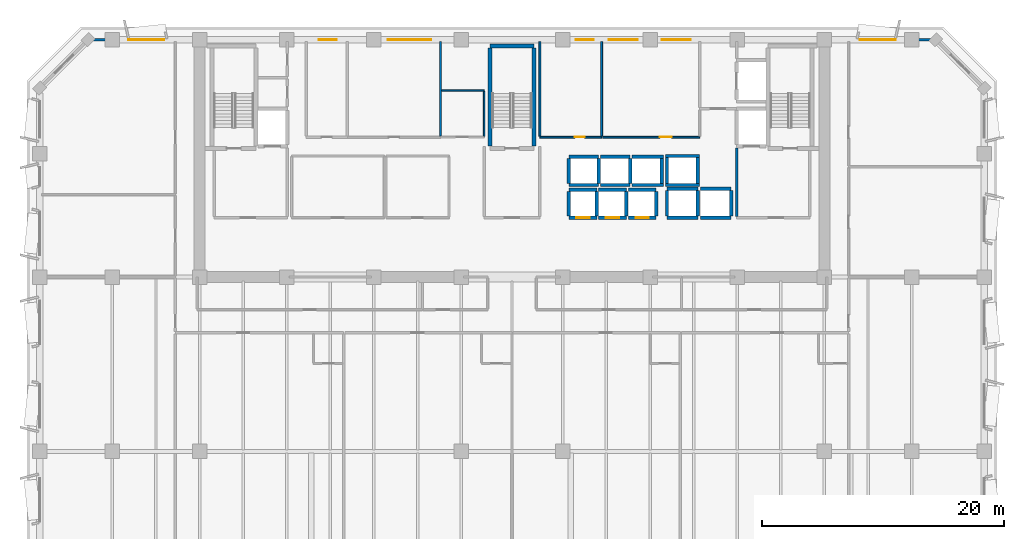
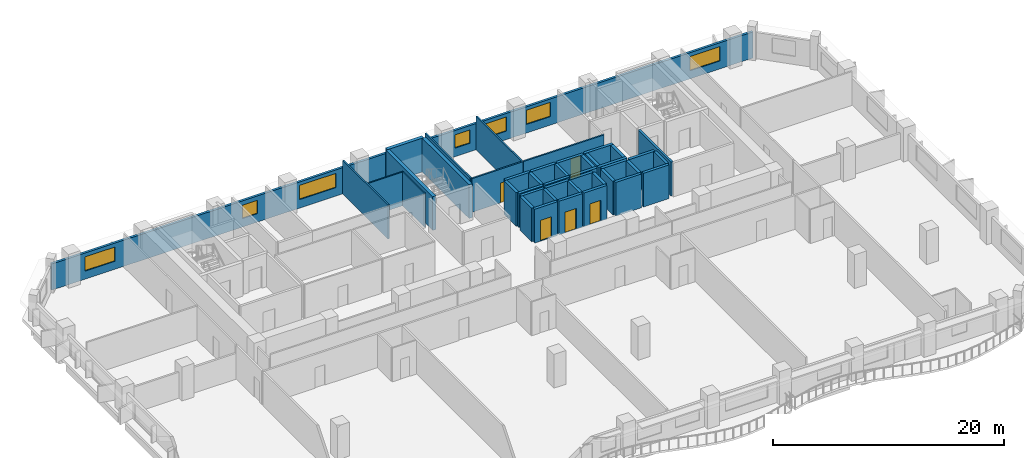
# One storey, part 7 of 14: 43 walls, 7 windows, 5 doors, 12 openings.
"""IFC4 building model written with IfcOpenShell, lengths in metres."""

from ifc_helpers import new_model, si_unit, direction, frame, frame_2d, origin, place, context, subcontext, project, spatial, rectangle, extrude, material, layer, layer_set, type_object, element, fill, save


model = new_model("IFC4")

# Units and contexts
model_context = context("Model", 3, precision=1e-05, world=origin(), true_north=direction((0.0, 1.0)))
body_context = subcontext(model_context, "Body", "Model", "MODEL_VIEW")
ifc_project = project(units=[si_unit("LENGTHUNIT", "METRE"), si_unit("AREAUNIT", "SQUARE_METRE"), si_unit("VOLUMEUNIT", "CUBIC_METRE"), si_unit("PLANEANGLEUNIT", "RADIAN"), si_unit("MASSUNIT", "GRAM", prefix="KILO")], contexts=[model_context])

# Site, building, storey
site_placement = place(None, origin())
site = spatial("IfcSite", under=ifc_project, at=site_placement, CompositionType="ELEMENT")
building_placement = place(site_placement, origin())
building = spatial("IfcBuilding", under=site, at=building_placement, Name="Kaelvorn Grand Hotel", CompositionType="ELEMENT")
storey_placement = place(building_placement, frame((0.0, 0.0, 220.550048828125)))
storey = spatial("IfcBuildingStorey", under=building, at=storey_placement, Name="L54", CompositionType="ELEMENT", Elevation=220.550048828125)

# Wall, openings, windows
ifc_material_1 = material(Name="Concrete C40/50", Category="concrete")
ifc_layer_1 = layer(ifc_material_1, 0.239990234375)
ifc_layer_set_1 = layer_set([ifc_layer_1], Name="Concrete C40/50")
wall_type_1 = type_object("IfcWallType", Name="WL-EXT-240-C40", PredefinedType="SOLIDWALL", material=ifc_layer_set_1)
wall_1_placement = place(storey_placement, frame((77.0, 49.0, 0.0), z_axis=(0.0, 0.0, 1.0), x_axis=(-1.0, 0.0, 0.0)))
wall_1 = element("IfcWall", 1, at=wall_1_placement, inside=storey, type_object=wall_type_1, Name="L54 Exterior Architectural Concrete Wall 05", PredefinedType="SOLIDWALL", context=body_context, shape_type="SweptSolid", body=[
    extrude(rectangle(XDim=70.0, YDim=0.239990234375, at=frame_2d((35.0, 0.0))), origin(), (0.0, 0.0, 1.0), 2.760009765625),
])
opening_1_placement = place(wall_1_placement, frame((63.699951171875, 0.0, 0.85009765625)))
opening_1 = element("IfcOpeningElement", 2, at=opening_1_placement, cuts=wall_1, Name="Opening W5", PredefinedType="OPENING", context=body_context, shape_type="SweptSolid", body=[
    extrude(rectangle(XDim=3.0, YDim=1.5, at=frame_2d((1.5, 0.75))), frame((0.0, 0.1298828125, 0.0), z_axis=(0.0, -1.0, 0.0), x_axis=(1.0, 0.0, 0.0)), (0.0, 0.0, 1.0), 0.260009765625),
])
opening_2_placement = place(wall_1_placement, frame((3.300048828125, 0.0, 0.85009765625)))
opening_2 = element("IfcOpeningElement", 3, at=opening_2_placement, cuts=wall_1, Name="Opening W5", PredefinedType="OPENING", context=body_context, shape_type="SweptSolid", body=[
    extrude(rectangle(XDim=3.0, YDim=1.5, at=frame_2d((1.5, 0.75))), frame((0.0, 0.1298828125, 0.0), z_axis=(0.0, -1.0, 0.0), x_axis=(1.0, 0.0, 0.0)), (0.0, 0.0, 1.0), 0.260009765625),
])
opening_3_placement = place(wall_1_placement, frame((49.465087890625, 0.0, 0.89990234375)))
opening_3 = element("IfcOpeningElement", 4, at=opening_3_placement, cuts=wall_1, Name="Opening W10", PredefinedType="OPENING", context=body_context, shape_type="SweptSolid", body=[
    extrude(rectangle(XDim=1.5, YDim=1.39990234375, at=frame_2d((0.75, 0.699951171875))), frame((0.0, 0.1298828125, 0.0), z_axis=(0.0, -1.0, 0.0), x_axis=(1.0, 0.0, 0.0)), (0.0, 0.0, 1.0), 0.260009765625),
])
opening_4_placement = place(wall_1_placement, frame((41.64990234375, 0.0, 0.89990234375)))
opening_4 = element("IfcOpeningElement", 5, at=opening_4_placement, cuts=wall_1, Name="Opening W3", PredefinedType="OPENING", context=body_context, shape_type="SweptSolid", body=[
    extrude(rectangle(XDim=3.60009765625, YDim=1.5, at=frame_2d((1.800048828125, 0.75))), frame((0.0, 0.1298828125, 0.0), z_axis=(0.0, -1.0, 0.0), x_axis=(1.0, 0.0, 0.0)), (0.0, 0.0, 1.0), 0.260009765625),
])
opening_5_placement = place(wall_1_placement, frame((28.25, 0.0, 0.89990234375)))
opening_5 = element("IfcOpeningElement", 6, at=opening_5_placement, cuts=wall_1, Name="Opening W10", PredefinedType="OPENING", context=body_context, shape_type="SweptSolid", body=[
    extrude(rectangle(XDim=1.5, YDim=1.39990234375, at=frame_2d((0.75, 0.699951171875))), frame((0.0, 0.1298828125, 0.0), z_axis=(0.0, -1.0, 0.0), x_axis=(1.0, 0.0, 0.0)), (0.0, 0.0, 1.0), 0.260009765625),
])
opening_6_placement = place(wall_1_placement, frame((24.60009765625, 0.0, 0.89990234375)))
opening_6 = element("IfcOpeningElement", 7, at=opening_6_placement, cuts=wall_1, Name="Opening W6", PredefinedType="OPENING", context=body_context, shape_type="SweptSolid", body=[
    extrude(rectangle(XDim=2.39990234375, YDim=1.5, at=frame_2d((1.199951171875, 0.75))), frame((0.0, 0.1298828125, 0.0), z_axis=(0.0, -1.0, 0.0), x_axis=(1.0, 0.0, 0.0)), (0.0, 0.0, 1.0), 0.260009765625),
])
opening_7_placement = place(wall_1_placement, frame((20.235107421875, 0.0, 0.89990234375)))
opening_7 = element("IfcOpeningElement", 8, at=opening_7_placement, cuts=wall_1, Name="Opening W6", PredefinedType="OPENING", context=body_context, shape_type="SweptSolid", body=[
    extrude(rectangle(XDim=2.39990234375, YDim=1.5, at=frame_2d((1.199951171875, 0.75))), frame((0.0, 0.1298828125, 0.0), z_axis=(0.0, -1.0, 0.0), x_axis=(1.0, 0.0, 0.0)), (0.0, 0.0, 1.0), 0.260009765625),
])
ifc_material_2 = material(Name="Laminated Low-E Glass", Category="glass")
window_type_1 = type_object("IfcWindowType", Name="WIN-COR-1500x1400", PartitioningType="SINGLE_PANEL", PredefinedType="WINDOW", material=ifc_material_2)
window_1_placement = place(opening_3_placement, origin())
window_1 = element("IfcWindow", 9, at=window_1_placement, inside=storey, type_object=window_type_1, Name="L54 North Core Clerestory Ribbon Window NC03", OverallHeight=1.39990234375, OverallWidth=1.5, PartitioningType="SINGLE_PANEL", PredefinedType="WINDOW", context=body_context, shape_type="SweptSolid", body=[
    extrude(rectangle(XDim=1.5, YDim=1.39990234375, at=frame_2d((0.75, 0.699951171875))), frame((0.0, 0.030029296875, 0.0), z_axis=(0.0, -1.0, 0.0), x_axis=(1.0, 0.0, 0.0)), (0.0, 0.0, 1.0), 0.06005859375),
])
fill(opening_3, window_1)
window_2_placement = place(opening_5_placement, origin())
window_2 = element("IfcWindow", 10, at=window_2_placement, inside=storey, type_object=window_type_1, Name="L54 North Core Clerestory Ribbon Window NC05", OverallHeight=1.39990234375, OverallWidth=1.5, PartitioningType="SINGLE_PANEL", PredefinedType="WINDOW", context=body_context, shape_type="SweptSolid", body=[
    extrude(rectangle(XDim=1.5, YDim=1.39990234375, at=frame_2d((0.75, 0.699951171875))), frame((0.0, 0.030029296875, 0.0), z_axis=(0.0, -1.0, 0.0), x_axis=(1.0, 0.0, 0.0)), (0.0, 0.0, 1.0), 0.06005859375),
])
fill(opening_5, window_2)
window_type_2 = type_object("IfcWindowType", Name="WIN-NTH-2400x1500", PartitioningType="SINGLE_PANEL", PredefinedType="WINDOW", material=ifc_material_2)
window_3_placement = place(opening_6_placement, origin())
window_3 = element("IfcWindow", 11, at=window_3_placement, inside=storey, type_object=window_type_2, Name="L54 North Core Clerestory Ribbon Window NC06", OverallHeight=1.5, OverallWidth=2.39990234375, PartitioningType="SINGLE_PANEL", PredefinedType="WINDOW", context=body_context, shape_type="SweptSolid", body=[
    extrude(rectangle(XDim=2.39990234375, YDim=1.5, at=frame_2d((1.199951171875, 0.75))), frame((0.0, 0.030029296875, 0.0), z_axis=(0.0, -1.0, 0.0), x_axis=(1.0, 0.0, 0.0)), (0.0, 0.0, 1.0), 0.06005859375),
])
fill(opening_6, window_3)
window_4_placement = place(opening_7_placement, origin())
window_4 = element("IfcWindow", 12, at=window_4_placement, inside=storey, type_object=window_type_2, Name="L54 North Core Clerestory Ribbon Window NC07", OverallHeight=1.5, OverallWidth=2.39990234375, PartitioningType="SINGLE_PANEL", PredefinedType="WINDOW", context=body_context, shape_type="SweptSolid", body=[
    extrude(rectangle(XDim=2.39990234375, YDim=1.5, at=frame_2d((1.199951171875, 0.75))), frame((0.0, 0.030029296875, 0.0), z_axis=(0.0, -1.0, 0.0), x_axis=(1.0, 0.0, 0.0)), (0.0, 0.0, 1.0), 0.06005859375),
])
fill(opening_7, window_4)
window_type_3 = type_object("IfcWindowType", Name="WIN-NTH-3000x1500", PartitioningType="SINGLE_PANEL", PredefinedType="WINDOW", material=ifc_material_2)
window_5_placement = place(opening_1_placement, origin())
window_5 = element("IfcWindow", 13, at=window_5_placement, inside=storey, type_object=window_type_3, Name="L54 North Wing Ribbon Window NW01", OverallHeight=1.5, OverallWidth=3.0, PartitioningType="SINGLE_PANEL", PredefinedType="WINDOW", context=body_context, shape_type="SweptSolid", body=[
    extrude(rectangle(XDim=3.0, YDim=1.5, at=frame_2d((1.5, 0.75))), frame((0.0, 0.030029296875, 0.0), z_axis=(0.0, -1.0, 0.0), x_axis=(1.0, 0.0, 0.0)), (0.0, 0.0, 1.0), 0.06005859375),
])
fill(opening_1, window_5)
window_6_placement = place(opening_2_placement, origin())
window_6 = element("IfcWindow", 14, at=window_6_placement, inside=storey, type_object=window_type_3, Name="L54 North Wing Ribbon Window NW02", OverallHeight=1.5, OverallWidth=3.0, PartitioningType="SINGLE_PANEL", PredefinedType="WINDOW", context=body_context, shape_type="SweptSolid", body=[
    extrude(rectangle(XDim=3.0, YDim=1.5, at=frame_2d((1.5, 0.75))), frame((0.0, 0.030029296875, 0.0), z_axis=(0.0, -1.0, 0.0), x_axis=(1.0, 0.0, 0.0)), (0.0, 0.0, 1.0), 0.06005859375),
])
fill(opening_2, window_6)
window_type_4 = type_object("IfcWindowType", Name="WIN-RIB-3600x1750", PartitioningType="SINGLE_PANEL", PredefinedType="WINDOW", material=ifc_material_2)
window_7_placement = place(opening_4_placement, origin())
window_7 = element("IfcWindow", 15, at=window_7_placement, inside=storey, type_object=window_type_4, Name="L54 North Core Clerestory Ribbon Window NC04", OverallHeight=1.5, OverallWidth=3.60009765625, PartitioningType="SINGLE_PANEL", PredefinedType="WINDOW", context=body_context, shape_type="SweptSolid", body=[
    extrude(rectangle(XDim=3.60009765625, YDim=1.5, at=frame_2d((1.800048828125, 0.75))), frame((0.0, 0.030029296875, 0.0), z_axis=(0.0, -1.0, 0.0), x_axis=(1.0, 0.0, 0.0)), (0.0, 0.0, 1.0), 0.06005859375),
])
fill(opening_4, window_7)

# Walls
ifc_material_3 = material(Name="Moisture-Resistant Tile & Stud Board")
ifc_layer_2 = layer(ifc_material_3, 0.125)
ifc_layer_set_2 = layer_set([ifc_layer_2], Name="Moisture-Resistant Tile & Stud Board")
wall_type_2 = type_object("IfcWallType", Name="WL-PART-125-WET", PredefinedType="PARTITIONING", material=ifc_layer_set_2)
wall_2_placement = place(storey_placement, frame((36.179931640625, 44.800048828125, 0.0), z_axis=(0.0, 0.0, 1.0), x_axis=(1.0, 0.0, 0.0)))
element("IfcWall", 16, at=wall_2_placement, inside=storey, type_object=wall_type_2, Name="L54 Accessible WC N Partition", PredefinedType="PARTITIONING", context=body_context, shape_type="SweptSolid", body=[
    extrude(rectangle(XDim=3.52001953125, YDim=0.125, at=frame_2d((1.760009765625, 0.0))), origin(), (0.0, 0.0, 1.0), 3.56005859375),
])
wall_3_placement = place(storey_placement, frame((39.699951171875, 41.017578125, 0.0), z_axis=(0.0, 0.0, 1.0), x_axis=(0.0, 1.0, 0.0)))
element("IfcWall", 17, at=wall_3_placement, inside=storey, type_object=wall_type_2, Name="L54 Accessible WC E Partition", PredefinedType="PARTITIONING", context=body_context, shape_type="SweptSolid", body=[
    extrude(rectangle(XDim=3.71484375, YDim=0.125, at=frame_2d((1.857421875, 0.0))), origin(), (0.0, 0.0, 1.0), 3.56005859375),
])
ifc_material_4 = material(Name="Acoustic Gypsum & Stud Partition")
ifc_layer_3 = layer(ifc_material_4, 0.14990234375)
ifc_layer_set_3 = layer_set([ifc_layer_3], Name="Acoustic Gypsum & Stud Partition")
wall_type_3 = type_object("IfcWallType", Name="WL-PART-150-EI60", PredefinedType="PARTITIONING", material=ifc_layer_set_3)
wall_4_placement = place(storey_placement, frame((36.10009765625, 41.030029296875, 0.0), z_axis=(0.0, 0.0, 1.0), x_axis=(0.0, 1.0, 0.0)))
element("IfcWall", 18, at=wall_4_placement, inside=storey, type_object=wall_type_3, Name="L54 Housekeeping & Linen Room E Partition", PredefinedType="PARTITIONING", context=body_context, shape_type="SweptSolid", body=[
    extrude(rectangle(XDim=7.820068359375, YDim=0.14990234375, at=frame_2d((3.91015625, 0.0))), origin(), (0.0, 0.0, 1.0), 3.56005859375),
])

# Wall, opening, door
wall_5_placement = place(storey_placement, frame((44.300048828125, 40.949951171875, 0.0), z_axis=(0.0, 0.0, 1.0), x_axis=(1.0, 0.0, 0.0)))
wall_5 = element("IfcWall", 19, at=wall_5_placement, inside=storey, type_object=wall_type_3, Name="L54 Laundry Chute Vestibule S Partition", PredefinedType="PARTITIONING", context=body_context, shape_type="SweptSolid", body=[
    extrude(rectangle(XDim=5.099853515625, YDim=0.14990234375, at=frame_2d((2.5498046875, 0.0))), origin(), (0.0, 0.0, 1.0), 3.56005859375),
])
opening_8_placement = place(wall_5_placement, frame((2.875, 0.0, 0.0)))
opening_8 = element("IfcOpeningElement", 20, at=opening_8_placement, cuts=wall_5, Name="Opening DI7", PredefinedType="OPENING", context=body_context, shape_type="SweptSolid", body=[
    extrude(rectangle(XDim=0.85009765625, YDim=2.10009765625, at=frame_2d((0.425048828125, 1.050048828125))), frame((0.0, 0.0849609375, 0.0), z_axis=(0.0, -1.0, 0.0), x_axis=(1.0, 0.0, 0.0)), (0.0, 0.0, 1.0), 0.169921875),
])
ifc_material_5 = material(Name="Powder-Coated Steel Leaf", Category="steel")
door_type_1 = type_object("IfcDoorType", Name="DR-INT-RISER-850x2100", OperationType="NOTDEFINED", PredefinedType="DOOR", material=ifc_material_5)
door_1_placement = place(opening_8_placement, origin())
door_1 = element("IfcDoor", 21, at=door_1_placement, inside=storey, type_object=door_type_1, Name="L54 Laundry Chute Vestibule Door", OperationType="SINGLE_SWING_RIGHT", OverallHeight=2.10009765625, OverallWidth=0.85009765625, PredefinedType="DOOR", context=body_context, shape_type="SweptSolid", body=[
    extrude(rectangle(XDim=0.85009765625, YDim=2.10009765625, at=frame_2d((0.425048828125, 1.050048828125))), frame((0.0, 0.02490234375, 0.0), z_axis=(0.0, -1.0, 0.0), x_axis=(1.0, 0.0, 0.0)), (0.0, 0.0, 1.0), 0.050048828125),
])
fill(opening_8, door_1)

# Walls
for number, where, z_axis, x_axis, name in (
    (22, (44.300048828125, 41.030029296875, 0.0), (0.0, 0.0, 1.0), (0.0, 1.0, 0.0), "L54 Laundry Chute Vestibule W Partition"),
    (23, (49.39990234375, 41.030029296875, 0.0), (0.0, 0.0, 1.0), (0.0, 1.0, 0.0), "L54 Laundry Chute Vestibule E Partition"),
):
    element("IfcWall", number, at=place(storey_placement, frame(where, z_axis=z_axis, x_axis=x_axis)), inside=storey, type_object=wall_type_3, Name=name, PredefinedType="PARTITIONING", context=body_context, shape_type="SweptSolid", body=[
        extrude(rectangle(XDim=7.820068359375, YDim=0.14990234375, at=frame_2d((3.91015625, 0.0))), origin(), (0.0, 0.0, 1.0), 3.56005859375),
    ])

# Wall, opening, door
wall_6_placement = place(storey_placement, frame((49.47998046875, 40.949951171875, 0.0), z_axis=(0.0, 0.0, 1.0), x_axis=(1.0, 0.0, 0.0)))
wall_6 = element("IfcWall", 24, at=wall_6_placement, inside=storey, type_object=wall_type_3, Name="L54 Butler Servery Pantry S Partition", PredefinedType="PARTITIONING", context=body_context, shape_type="SweptSolid", body=[
    extrude(rectangle(XDim=8.02001953125, YDim=0.14990234375, at=frame_2d((4.010009765625, 0.0))), origin(), (0.0, 0.0, 1.0), 3.56005859375),
])
opening_9_placement = place(wall_6_placement, frame((4.719970703125, 0.0, 0.0)))
opening_9 = element("IfcOpeningElement", 25, at=opening_9_placement, cuts=wall_6, Name="Opening DI3", PredefinedType="OPENING", context=body_context, shape_type="SweptSolid", body=[
    extrude(rectangle(XDim=1.0, YDim=2.14990234375, at=frame_2d((0.5, 1.074951171875))), frame((0.0, 0.0849609375, 0.0), z_axis=(0.0, -1.0, 0.0), x_axis=(1.0, 0.0, 0.0)), (0.0, 0.0, 1.0), 0.169921875),
])
ifc_material_6 = material(Name="Timber Veneer Fire Leaf", Category="wood")
door_type_2 = type_object("IfcDoorType", Name="DR-INT-GUEST-1000x2150", OperationType="NOTDEFINED", PredefinedType="DOOR", material=ifc_material_6)
door_2_placement = place(opening_9_placement, origin())
door_2 = element("IfcDoor", 26, at=door_2_placement, inside=storey, type_object=door_type_2, Name="L54 Butler Servery Pantry Door", OperationType="SINGLE_SWING_LEFT", OverallHeight=2.14990234375, OverallWidth=1.0, PredefinedType="DOOR", context=body_context, shape_type="SweptSolid", body=[
    extrude(rectangle(XDim=1.0, YDim=2.14990234375, at=frame_2d((0.5, 1.074951171875))), frame((0.0, 0.02490234375, 0.0), z_axis=(0.0, -1.0, 0.0), x_axis=(1.0, 0.0, 0.0)), (0.0, 0.0, 1.0), 0.050048828125),
])
fill(opening_9, door_2)

# Wall
ifc_layer_4 = layer(ifc_material_1, 0.219970703125)
ifc_layer_set_4 = layer_set([ifc_layer_4], Name="Concrete C40/50")
wall_type_4 = type_object("IfcWallType", Name="WL-PART-220-EI120", PredefinedType="PARTITIONING", material=ifc_layer_set_4)
wall_7_placement = place(storey_placement, frame((60.550048828125, 34.4150390625, 0.0), z_axis=(0.0, 0.0, 1.0), x_axis=(0.0, 1.0, 0.0)))
element("IfcWall", 27, at=wall_7_placement, inside=storey, type_object=wall_type_4, Name="L54 Firefighting Lift Lobby 2 W Partition", PredefinedType="PARTITIONING", context=body_context, shape_type="SweptSolid", body=[
    extrude(rectangle(XDim=5.639892578125, YDim=0.219970703125, at=frame_2d((2.81982421875, 0.0))), origin(), (0.0, 0.0, 1.0), 3.56005859375),
])

# Wall, opening, door
ifc_material_7 = material(Name="Concrete C50/60", Category="concrete")
ifc_layer_5 = layer(ifc_material_7, 0.280029296875)
ifc_layer_set_5 = layer_set([ifc_layer_5], Name="Concrete C50/60")
wall_type_5 = type_object("IfcWallType", Name="WL-SHAFT-280-C50", PredefinedType="SHEAR", material=ifc_layer_set_5)
wall_8_placement = place(storey_placement, frame((46.699951171875, 34.300048828125, 0.0), z_axis=(0.0, 0.0, 1.0), x_axis=(1.0, 0.0, 0.0)))
wall_8 = element("IfcWall", 28, at=wall_8_placement, inside=storey, type_object=wall_type_5, Name="L54 Lift PL-M1 Shaft South Wall", PredefinedType="SHEAR", context=body_context, shape_type="SweptSolid", body=[
    extrude(rectangle(XDim=2.300048828125, YDim=0.280029296875, at=frame_2d((1.14990234375, 0.0))), origin(), (0.0, 0.0, 1.0), 3.56005859375),
])
opening_10_placement = place(wall_8_placement, frame((0.60009765625, 0.0, 0.0)))
opening_10 = element("IfcOpeningElement", 29, at=opening_10_placement, cuts=wall_8, Name="Opening LD-PL-M1", PredefinedType="OPENING", context=body_context, shape_type="SweptSolid", body=[
    extrude(rectangle(XDim=1.10009765625, YDim=2.199951171875, at=frame_2d((0.550048828125, 1.10009765625))), frame((0.0, 0.14990234375, 0.0), z_axis=(0.0, -1.0, 0.0), x_axis=(1.0, 0.0, 0.0)), (0.0, 0.0, 1.0), 0.300048828125),
])
ifc_material_8 = material(Name="Stainless Steel", Category="steel")
door_type_3 = type_object("IfcDoorType", Name="DR-LIFT-PASS-1100x2200", OperationType="DOUBLE_DOOR_SLIDING", PredefinedType="DOOR", material=ifc_material_8)
door_3_placement = place(opening_10_placement, origin())
door_3 = element("IfcDoor", 30, at=door_3_placement, inside=storey, type_object=door_type_3, Name="L54 Lift PL-M1 Sliding Landing Door LD-PL-M1", OperationType="DOUBLE_DOOR_SLIDING", OverallHeight=2.199951171875, OverallWidth=1.10009765625, PredefinedType="DOOR", context=body_context, shape_type="SweptSolid", body=[
    extrude(rectangle(XDim=1.10009765625, YDim=2.199951171875, at=frame_2d((0.550048828125, 1.10009765625))), frame((0.0, 0.02490234375, 0.0), z_axis=(0.0, -1.0, 0.0), x_axis=(1.0, 0.0, 0.0)), (0.0, 0.0, 1.0), 0.050048828125),
])
fill(opening_10, door_3)

# Walls
wall_9_placement = place(storey_placement, frame((46.699951171875, 36.60009765625, 0.0), z_axis=(0.0, 0.0, 1.0), x_axis=(1.0, 0.0, 0.0)))
element("IfcWall", 31, at=wall_9_placement, inside=storey, type_object=wall_type_5, Name="L54 Lift PL-M1 Shaft North Wall", PredefinedType="SHEAR", context=body_context, shape_type="SweptSolid", body=[
    extrude(rectangle(XDim=2.300048828125, YDim=0.280029296875, at=frame_2d((1.14990234375, 0.0))), origin(), (0.0, 0.0, 1.0), 3.56005859375),
])
for number, where, z_axis, x_axis, name in (
    (32, (46.699951171875, 34.445068359375, 0.0), (0.0, 0.0, 1.0), (0.0, 1.0, 0.0), "L54 Lift PL-M1 Shaft West Wall"),
    (33, (49.0, 34.445068359375, 0.0), (0.0, 0.0, 1.0), (0.0, 1.0, 0.0), "L54 Lift PL-M1 Shaft East Wall"),
):
    element("IfcWall", number, at=place(storey_placement, frame(where, z_axis=z_axis, x_axis=x_axis)), inside=storey, type_object=wall_type_5, Name=name, PredefinedType="SHEAR", context=body_context, shape_type="SweptSolid", body=[
        extrude(rectangle(XDim=2.010009765625, YDim=0.280029296875, at=frame_2d((1.0048828125, 0.0))), origin(), (0.0, 0.0, 1.0), 3.56005859375),
    ])

# Wall, opening, door
wall_10_placement = place(storey_placement, frame((49.14990234375, 34.300048828125, 0.0), z_axis=(0.0, 0.0, 1.0), x_axis=(1.0, 0.0, 0.0)))
wall_10 = element("IfcWall", 34, at=wall_10_placement, inside=storey, type_object=wall_type_5, Name="L54 Lift PL-M2 Shaft South Wall", PredefinedType="SHEAR", context=body_context, shape_type="SweptSolid", body=[
    extrude(rectangle(XDim=2.300048828125, YDim=0.280029296875, at=frame_2d((1.14990234375, 0.0))), origin(), (0.0, 0.0, 1.0), 3.56005859375),
])
opening_11_placement = place(wall_10_placement, frame((0.60009765625, 0.0, 0.0)))
opening_11 = element("IfcOpeningElement", 35, at=opening_11_placement, cuts=wall_10, Name="Opening LD-PL-M2", PredefinedType="OPENING", context=body_context, shape_type="SweptSolid", body=[
    extrude(rectangle(XDim=1.10009765625, YDim=2.199951171875, at=frame_2d((0.550048828125, 1.10009765625))), frame((0.0, 0.14990234375, 0.0), z_axis=(0.0, -1.0, 0.0), x_axis=(1.0, 0.0, 0.0)), (0.0, 0.0, 1.0), 0.300048828125),
])
door_4_placement = place(opening_11_placement, origin())
door_4 = element("IfcDoor", 36, at=door_4_placement, inside=storey, type_object=door_type_3, Name="L54 Lift PL-M2 Sliding Landing Door LD-PL-M2", OperationType="DOUBLE_DOOR_SLIDING", OverallHeight=2.199951171875, OverallWidth=1.10009765625, PredefinedType="DOOR", context=body_context, shape_type="SweptSolid", body=[
    extrude(rectangle(XDim=1.10009765625, YDim=2.199951171875, at=frame_2d((0.550048828125, 1.10009765625))), frame((0.0, 0.02490234375, 0.0), z_axis=(0.0, -1.0, 0.0), x_axis=(1.0, 0.0, 0.0)), (0.0, 0.0, 1.0), 0.050048828125),
])
fill(opening_11, door_4)

# Walls
wall_11_placement = place(storey_placement, frame((49.14990234375, 36.60009765625, 0.0), z_axis=(0.0, 0.0, 1.0), x_axis=(1.0, 0.0, 0.0)))
element("IfcWall", 37, at=wall_11_placement, inside=storey, type_object=wall_type_5, Name="L54 Lift PL-M2 Shaft North Wall", PredefinedType="SHEAR", context=body_context, shape_type="SweptSolid", body=[
    extrude(rectangle(XDim=2.300048828125, YDim=0.280029296875, at=frame_2d((1.14990234375, 0.0))), origin(), (0.0, 0.0, 1.0), 3.56005859375),
])
wall_12_placement = place(storey_placement, frame((51.449951171875, 34.445068359375, 0.0), z_axis=(0.0, 0.0, 1.0), x_axis=(0.0, 1.0, 0.0)))
element("IfcWall", 38, at=wall_12_placement, inside=storey, type_object=wall_type_5, Name="L54 Lift PL-M2 Shaft East Wall", PredefinedType="SHEAR", context=body_context, shape_type="SweptSolid", body=[
    extrude(rectangle(XDim=2.010009765625, YDim=0.280029296875, at=frame_2d((1.0048828125, 0.0))), origin(), (0.0, 0.0, 1.0), 3.56005859375),
])

# Wall, opening, door
wall_13_placement = place(storey_placement, frame((51.60009765625, 34.300048828125, 0.0), z_axis=(0.0, 0.0, 1.0), x_axis=(1.0, 0.0, 0.0)))
wall_13 = element("IfcWall", 39, at=wall_13_placement, inside=storey, type_object=wall_type_5, Name="L54 Lift PL-M3 Shaft South Wall", PredefinedType="SHEAR", context=body_context, shape_type="SweptSolid", body=[
    extrude(rectangle(XDim=2.2998046875, YDim=0.280029296875, at=frame_2d((1.14990234375, 0.0))), origin(), (0.0, 0.0, 1.0), 3.56005859375),
])
opening_12_placement = place(wall_13_placement, frame((0.60009765625, 0.0, 0.0)))
opening_12 = element("IfcOpeningElement", 40, at=opening_12_placement, cuts=wall_13, Name="Opening LD-PL-M3", PredefinedType="OPENING", context=body_context, shape_type="SweptSolid", body=[
    extrude(rectangle(XDim=1.10009765625, YDim=2.199951171875, at=frame_2d((0.550048828125, 1.10009765625))), frame((0.0, 0.14990234375, 0.0), z_axis=(0.0, -1.0, 0.0), x_axis=(1.0, 0.0, 0.0)), (0.0, 0.0, 1.0), 0.300048828125),
])
door_5_placement = place(opening_12_placement, origin())
door_5 = element("IfcDoor", 41, at=door_5_placement, inside=storey, type_object=door_type_3, Name="L54 Lift PL-M3 Sliding Landing Door LD-PL-M3", OperationType="DOUBLE_DOOR_SLIDING", OverallHeight=2.199951171875, OverallWidth=1.10009765625, PredefinedType="DOOR", context=body_context, shape_type="SweptSolid", body=[
    extrude(rectangle(XDim=1.10009765625, YDim=2.199951171875, at=frame_2d((0.550048828125, 1.10009765625))), frame((0.0, 0.02490234375, 0.0), z_axis=(0.0, -1.0, 0.0), x_axis=(1.0, 0.0, 0.0)), (0.0, 0.0, 1.0), 0.050048828125),
])
fill(opening_12, door_5)

# Walls
wall_14_placement = place(storey_placement, frame((51.60009765625, 36.60009765625, 0.0), z_axis=(0.0, 0.0, 1.0), x_axis=(1.0, 0.0, 0.0)))
element("IfcWall", 42, at=wall_14_placement, inside=storey, type_object=wall_type_5, Name="L54 Lift PL-M3 Shaft North Wall", PredefinedType="SHEAR", context=body_context, shape_type="SweptSolid", body=[
    extrude(rectangle(XDim=2.2998046875, YDim=0.280029296875, at=frame_2d((1.14990234375, 0.0))), origin(), (0.0, 0.0, 1.0), 3.56005859375),
])
wall_15_placement = place(storey_placement, frame((53.89990234375, 34.445068359375, 0.0), z_axis=(0.0, 0.0, 1.0), x_axis=(0.0, 1.0, 0.0)))
element("IfcWall", 43, at=wall_15_placement, inside=storey, type_object=wall_type_5, Name="L54 Lift PL-M3 Shaft East Wall", PredefinedType="SHEAR", context=body_context, shape_type="SweptSolid", body=[
    extrude(rectangle(XDim=2.010009765625, YDim=0.280029296875, at=frame_2d((1.0048828125, 0.0))), origin(), (0.0, 0.0, 1.0), 3.56005859375),
])
for number, where, z_axis, x_axis, name in (
    (44, (46.699951171875, 37.0, 0.0), (0.0, 0.0, 1.0), (1.0, 0.0, 0.0), "L54 Lift SL-1 Shaft South Wall"),
    (45, (46.699951171875, 39.35009765625, 0.0), (0.0, 0.0, 1.0), (1.0, 0.0, 0.0), "L54 Lift SL-1 Shaft North Wall"),
):
    element("IfcWall", number, at=place(storey_placement, frame(where, z_axis=z_axis, x_axis=x_axis)), inside=storey, type_object=wall_type_5, Name=name, PredefinedType="SHEAR", context=body_context, shape_type="SweptSolid", body=[
        extrude(rectangle(XDim=2.449951171875, YDim=0.280029296875, at=frame_2d((1.22509765625, 0.0))), origin(), (0.0, 0.0, 1.0), 3.56005859375),
    ])
for number, where, z_axis, x_axis, name in (
    (46, (46.699951171875, 37.14501953125, 0.0), (0.0, 0.0, 1.0), (0.0, 1.0, 0.0), "L54 Lift SL-1 Shaft West Wall"),
    (47, (49.14990234375, 37.14501953125, 0.0), (0.0, 0.0, 1.0), (0.0, 1.0, 0.0), "L54 Lift SL-1 Shaft East Wall"),
):
    element("IfcWall", number, at=place(storey_placement, frame(where, z_axis=z_axis, x_axis=x_axis)), inside=storey, type_object=wall_type_5, Name=name, PredefinedType="SHEAR", context=body_context, shape_type="SweptSolid", body=[
        extrude(rectangle(XDim=2.06005859375, YDim=0.280029296875, at=frame_2d((1.030029296875, 0.0))), origin(), (0.0, 0.0, 1.0), 3.56005859375),
    ])
for number, where, z_axis, x_axis, name in (
    (48, (49.300048828125, 37.0, 0.0), (0.0, 0.0, 1.0), (1.0, 0.0, 0.0), "L54 Lift SL-2 Shaft South Wall"),
    (49, (49.300048828125, 39.35009765625, 0.0), (0.0, 0.0, 1.0), (1.0, 0.0, 0.0), "L54 Lift SL-2 Shaft North Wall"),
):
    element("IfcWall", number, at=place(storey_placement, frame(where, z_axis=z_axis, x_axis=x_axis)), inside=storey, type_object=wall_type_5, Name=name, PredefinedType="SHEAR", context=body_context, shape_type="SweptSolid", body=[
        extrude(rectangle(XDim=2.449951171875, YDim=0.280029296875, at=frame_2d((1.22509765625, 0.0))), origin(), (0.0, 0.0, 1.0), 3.56005859375),
    ])
wall_16_placement = place(storey_placement, frame((51.75, 37.14501953125, 0.0), z_axis=(0.0, 0.0, 1.0), x_axis=(0.0, 1.0, 0.0)))
element("IfcWall", 50, at=wall_16_placement, inside=storey, type_object=wall_type_5, Name="L54 Lift SL-2 Shaft East Wall", PredefinedType="SHEAR", context=body_context, shape_type="SweptSolid", body=[
    extrude(rectangle(XDim=2.06005859375, YDim=0.280029296875, at=frame_2d((1.030029296875, 0.0))), origin(), (0.0, 0.0, 1.0), 3.56005859375),
])
for number, where, z_axis, x_axis, name in (
    (51, (51.89990234375, 37.0, 0.0), (0.0, 0.0, 1.0), (1.0, 0.0, 0.0), "L54 Lift SL-3 Shaft South Wall"),
    (52, (51.89990234375, 39.35009765625, 0.0), (0.0, 0.0, 1.0), (1.0, 0.0, 0.0), "L54 Lift SL-3 Shaft North Wall"),
):
    element("IfcWall", number, at=place(storey_placement, frame(where, z_axis=z_axis, x_axis=x_axis)), inside=storey, type_object=wall_type_5, Name=name, PredefinedType="SHEAR", context=body_context, shape_type="SweptSolid", body=[
        extrude(rectangle(XDim=2.590087890625, YDim=0.280029296875, at=frame_2d((1.294921875, 0.0))), origin(), (0.0, 0.0, 1.0), 3.56005859375),
    ])
wall_17_placement = place(storey_placement, frame((54.35009765625, 37.14501953125, 0.0), z_axis=(0.0, 0.0, 1.0), x_axis=(0.0, 1.0, 0.0)))
element("IfcWall", 53, at=wall_17_placement, inside=storey, type_object=wall_type_5, Name="L54 Lift SL-3 Shaft East Wall", PredefinedType="SHEAR", context=body_context, shape_type="SweptSolid", body=[
    extrude(rectangle(XDim=2.06005859375, YDim=0.280029296875, at=frame_2d((1.030029296875, 0.0))), origin(), (0.0, 0.0, 1.0), 3.56005859375),
])
for number, where, z_axis, x_axis, name in (
    (54, (54.800048828125, 34.300048828125, 0.0), (0.0, 0.0, 1.0), (1.0, 0.0, 0.0), "L54 Lift OL-1 Shaft South Wall"),
    (55, (54.800048828125, 36.699951171875, 0.0), (0.0, 0.0, 1.0), (1.0, 0.0, 0.0), "L54 Lift OL-1 Shaft North Wall"),
):
    element("IfcWall", number, at=place(storey_placement, frame(where, z_axis=z_axis, x_axis=x_axis)), inside=storey, type_object=wall_type_5, Name=name, PredefinedType="SHEAR", context=body_context, shape_type="SweptSolid", body=[
        extrude(rectangle(XDim=2.550048828125, YDim=0.280029296875, at=frame_2d((1.27490234375, 0.0))), origin(), (0.0, 0.0, 1.0), 3.56005859375),
    ])
for number, where, z_axis, x_axis, name in (
    (56, (54.800048828125, 34.445068359375, 0.0), (0.0, 0.0, 1.0), (0.0, 1.0, 0.0), "L54 Lift OL-1 Shaft West Wall"),
    (57, (57.35009765625, 34.445068359375, 0.0), (0.0, 0.0, 1.0), (0.0, 1.0, 0.0), "L54 Lift OL-1 Shaft East Wall"),
):
    element("IfcWall", number, at=place(storey_placement, frame(where, z_axis=z_axis, x_axis=x_axis)), inside=storey, type_object=wall_type_5, Name=name, PredefinedType="SHEAR", context=body_context, shape_type="SweptSolid", body=[
        extrude(rectangle(XDim=2.10986328125, YDim=0.280029296875, at=frame_2d((1.054931640625, 0.0))), origin(), (0.0, 0.0, 1.0), 3.56005859375),
    ])
for number, where, z_axis, x_axis, name in (
    (58, (57.550048828125, 34.300048828125, 0.0), (0.0, 0.0, 1.0), (1.0, 0.0, 0.0), "L54 Lift OL-2 Shaft South Wall"),
    (59, (57.550048828125, 36.699951171875, 0.0), (0.0, 0.0, 1.0), (1.0, 0.0, 0.0), "L54 Lift OL-2 Shaft North Wall"),
):
    element("IfcWall", number, at=place(storey_placement, frame(where, z_axis=z_axis, x_axis=x_axis)), inside=storey, type_object=wall_type_5, Name=name, PredefinedType="SHEAR", context=body_context, shape_type="SweptSolid", body=[
        extrude(rectangle(XDim=2.550048828125, YDim=0.280029296875, at=frame_2d((1.27490234375, 0.0))), origin(), (0.0, 0.0, 1.0), 3.56005859375),
    ])
wall_18_placement = place(storey_placement, frame((60.10009765625, 34.445068359375, 0.0), z_axis=(0.0, 0.0, 1.0), x_axis=(0.0, 1.0, 0.0)))
element("IfcWall", 60, at=wall_18_placement, inside=storey, type_object=wall_type_5, Name="L54 Lift OL-2 Shaft East Wall", PredefinedType="SHEAR", context=body_context, shape_type="SweptSolid", body=[
    extrude(rectangle(XDim=2.10986328125, YDim=0.280029296875, at=frame_2d((1.054931640625, 0.0))), origin(), (0.0, 0.0, 1.0), 3.56005859375),
])
for number, where, z_axis, x_axis, name in (
    (61, (54.659912109375, 37.0, 0.0), (0.0, 0.0, 1.0), (1.0, 0.0, 0.0), "L54 Lift OL-3 Shaft South Wall"),
    (62, (54.659912109375, 39.39990234375, 0.0), (0.0, 0.0, 1.0), (1.0, 0.0, 0.0), "L54 Lift OL-3 Shaft North Wall"),
):
    element("IfcWall", number, at=place(storey_placement, frame(where, z_axis=z_axis, x_axis=x_axis)), inside=storey, type_object=wall_type_5, Name=name, PredefinedType="SHEAR", context=body_context, shape_type="SweptSolid", body=[
        extrude(rectangle(XDim=2.830078125, YDim=0.280029296875, at=frame_2d((1.4150390625, 0.0))), origin(), (0.0, 0.0, 1.0), 3.56005859375),
    ])
for number, where, z_axis, x_axis, name in (
    (63, (54.800048828125, 37.14501953125, 0.0), (0.0, 0.0, 1.0), (0.0, 1.0, 0.0), "L54 Lift OL-3 Shaft West Wall"),
    (64, (57.35009765625, 37.14501953125, 0.0), (0.0, 0.0, 1.0), (0.0, 1.0, 0.0), "L54 Lift OL-3 Shaft East Wall"),
):
    element("IfcWall", number, at=place(storey_placement, frame(where, z_axis=z_axis, x_axis=x_axis)), inside=storey, type_object=wall_type_5, Name=name, PredefinedType="SHEAR", context=body_context, shape_type="SweptSolid", body=[
        extrude(rectangle(XDim=2.10986328125, YDim=0.280029296875, at=frame_2d((1.054931640625, 0.0))), origin(), (0.0, 0.0, 1.0), 3.56005859375),
    ])
ifc_material_9 = material(Name="Concrete C60/75", Category="concrete")
ifc_layer_6 = layer(ifc_material_9, 0.35009765625)
ifc_layer_set_6 = layer_set([ifc_layer_6], Name="Concrete C60/75")
wall_type_6 = type_object("IfcWallType", Name="WL-SHAFT-350-C60", PredefinedType="SHEAR", material=ifc_layer_set_6)
wall_19_placement = place(storey_placement, frame((40.18505859375, 48.47509765625, 0.0), z_axis=(0.0, 0.0, 1.0), x_axis=(1.0, 0.0, 0.0)))
element("IfcWall", 65, at=wall_19_placement, inside=storey, type_object=wall_type_6, Name="L54 ST2 Stair Shaft North Wall", PredefinedType="SHEAR", context=body_context, shape_type="SweptSolid", body=[
    extrude(rectangle(XDim=3.6298828125, YDim=0.35009765625, at=frame_2d((1.81494140625, 0.0))), origin(), (0.0, 0.0, 1.0), 3.56005859375),
])
for number, where, z_axis, x_axis, name in (
    (66, (40.18505859375, 40.205078125, 0.0), (0.0, 0.0, 1.0), (0.0, 1.0, 0.0), "L54 ST2 Stair Shaft West Wall"),
    (67, (43.81494140625, 40.205078125, 0.0), (0.0, 0.0, 1.0), (0.0, 1.0, 0.0), "L54 ST2 Stair Shaft East Wall"),
):
    element("IfcWall", number, at=place(storey_placement, frame(where, z_axis=z_axis, x_axis=x_axis)), inside=storey, type_object=wall_type_6, Name=name, PredefinedType="SHEAR", context=body_context, shape_type="SweptSolid", body=[
        extrude(rectangle(XDim=8.08984375, YDim=0.35009765625, at=frame_2d((4.044921875, 0.0))), origin(), (0.0, 0.0, 1.0), 3.56005859375),
    ])

save(model, "model.ifc")
